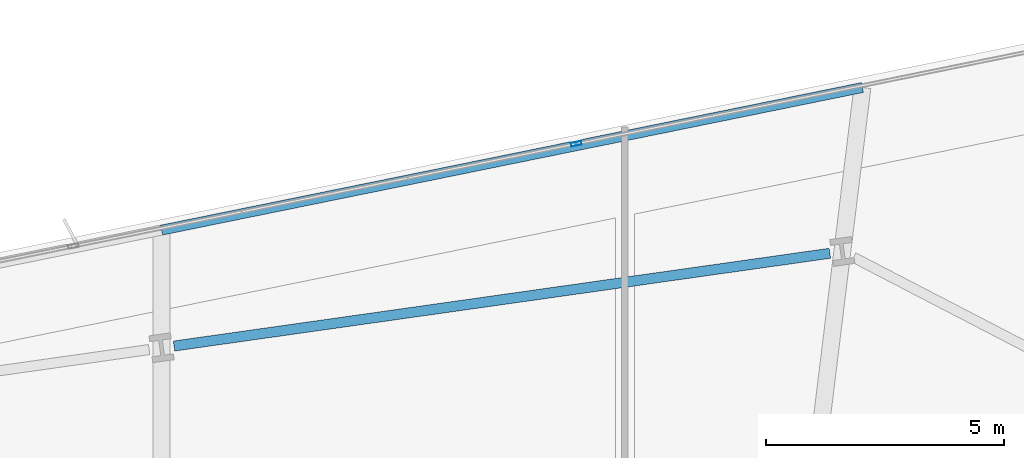
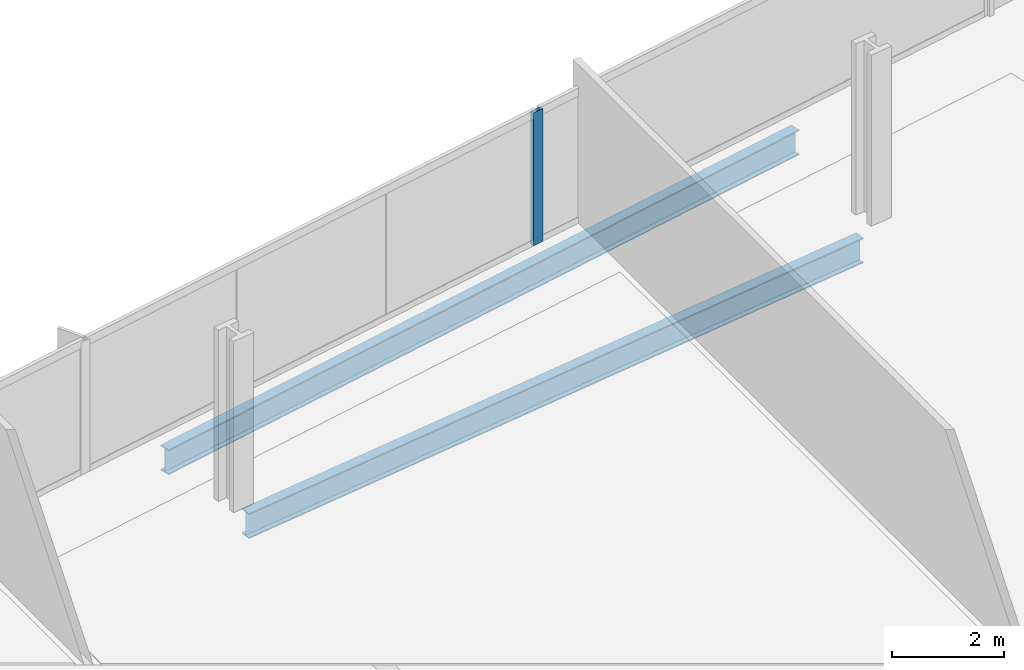
# One storey, part 21 of 33: 2 beams, 1 member, 1 element without a shape of its own.
"""IFC4 building model written with IfcOpenShell, lengths in metres."""

from ifc_helpers import new_model, si_unit, direction, frame, origin, origin_2d, place, context, subcontext, project, spatial, hollow_rectangle, i_section, extrude, material, material_profile, profile_set, type_object, element, aggregate, save


model = new_model("IFC4")

# Units and contexts
model_context = context("Model", 3, precision=1e-05, world=origin(), true_north=direction((0.0, 1.0)))
body_context = subcontext(model_context, "Body", "Model", "MODEL_VIEW")
ifc_project = project(units=[si_unit("LENGTHUNIT", "METRE"), si_unit("AREAUNIT", "SQUARE_METRE"), si_unit("VOLUMEUNIT", "CUBIC_METRE"), si_unit("PLANEANGLEUNIT", "RADIAN"), si_unit("MASSUNIT", "GRAM", prefix="KILO")], contexts=[model_context])

# Site, building, storey
site_placement = place(None, origin())
site = spatial("IfcSite", under=ifc_project, at=site_placement, CompositionType="ELEMENT")
building_placement = place(site_placement, origin())
building = spatial("IfcBuilding", under=site, at=building_placement, Name="Haldenkirk Collegiate Tower", CompositionType="ELEMENT")
storey_placement = place(building_placement, frame((0.0, 0.0, 66.449951171875)))
storey = spatial("IfcBuildingStorey", under=building, at=storey_placement, Name="L15", CompositionType="ELEMENT", Elevation=66.449951171875)

# Beams
ifc_material_1 = material(Name="Steel ASTM A992 Grade 50", Category="steel")
ifc_material_profile_1 = material_profile(ifc_material_1, i_section(OverallWidth=0.2119140625, OverallDepth=0.5439453125, WebThickness=0.01318359375, FlangeThickness=0.021240234375, at=origin_2d()), Name="W21X83")
ifc_profile_set_1 = profile_set([ifc_material_profile_1], Name="Steel ASTM A992 Grade 50")
beam_type = type_object("IfcBeamType", Name="BM-SPANDREL-W21X83", PredefinedType="SPANDREL", material=ifc_profile_set_1)
beam_1_placement = place(storey_placement, frame((46.803955078125, 50.807373046875, -0.58203125), z_axis=(-0.990146197746, -0.14003752029, 0.0), x_axis=(0.14003752029, -0.990146197746, 0.0)))
element("IfcBeam", 1, at=beam_1_placement, inside=storey, type_object=beam_type, Name="L15 perimeter spandrel beam 10", PredefinedType="SPANDREL", context=body_context, shape_type="SweptSolid", body=[
    extrude(i_section(OverallWidth=0.2119140625, OverallDepth=0.5439453125, WebThickness=0.01318359375, FlangeThickness=0.021240234375, at=origin_2d()), origin(), (0.0, 0.0, 1.0), 13.906982421875),
])
beam_2_placement = place(storey_placement, frame((47.48828125, 54.288330078125, -0.58203125), z_axis=(-0.979923098305, -0.199375829547, 0.0), x_axis=(0.199375829547, -0.979923098305, 0.0)))
element("IfcBeam", 2, at=beam_2_placement, inside=storey, type_object=beam_type, Name="L15 outer facade edge beam 3A", PredefinedType="SPANDREL", context=body_context, shape_type="SweptSolid", body=[
    extrude(i_section(OverallWidth=0.2119140625, OverallDepth=0.5439453125, WebThickness=0.01318359375, FlangeThickness=0.021240234375, at=origin_2d()), origin(), (0.0, 0.0, 1.0), 15.017578125),
])

# Curtain wall, member
ifc_material_2 = material(Name="Anodised architectural bronze aluminium", Category="aluminium")
curtain_wall_type = type_object("IfcCurtainWallType", Name="CW-SYS1-CONVEX-LOW", PredefinedType="USERDEFINED", material=ifc_material_2)
curtain_wall_placement = place(storey_placement, origin())
curtain_wall = element("IfcCurtainWall", 3, at=curtain_wall_placement, inside=storey, type_object=curtain_wall_type, Name="L15 Lower tower convex bronze-framed unitised curtain wall", ObjectType="UNITISED CURTAIN WALL", PredefinedType="USERDEFINED")
ifc_material_profile_2 = material_profile(ifc_material_2, hollow_rectangle(XDim=0.080078125, YDim=0.219970703125, WallThickness=0.0048828125, at=origin_2d()), Name="CW-MUL-1A")
ifc_profile_set_2 = profile_set([ifc_material_profile_2], Name="Anodised architectural bronze aluminium")
member_type = type_object("IfcMemberType", Name="CW-MUL-1A", PredefinedType="MULLION", material=ifc_profile_set_2)
member_placement = place(storey_placement, frame((41.480712890625, 53.10693359375, 0.0), z_axis=(0.0, 0.0, 1.0), x_axis=(-0.199368665738, 0.979924555832, 0.0)))
member = element("IfcMember", 4, at=member_placement, type_object=member_type, Name="CW-1A mullion 4", PredefinedType="MULLION", context=body_context, shape_type="SweptSolid", body=[
    extrude(hollow_rectangle(XDim=0.080078125, YDim=0.219970703125, WallThickness=0.0048828125, at=origin_2d()), origin(), (0.0, 0.0, 1.0), 2.89111328125),
])
aggregate(curtain_wall, [member])

save(model, "model.ifc")
